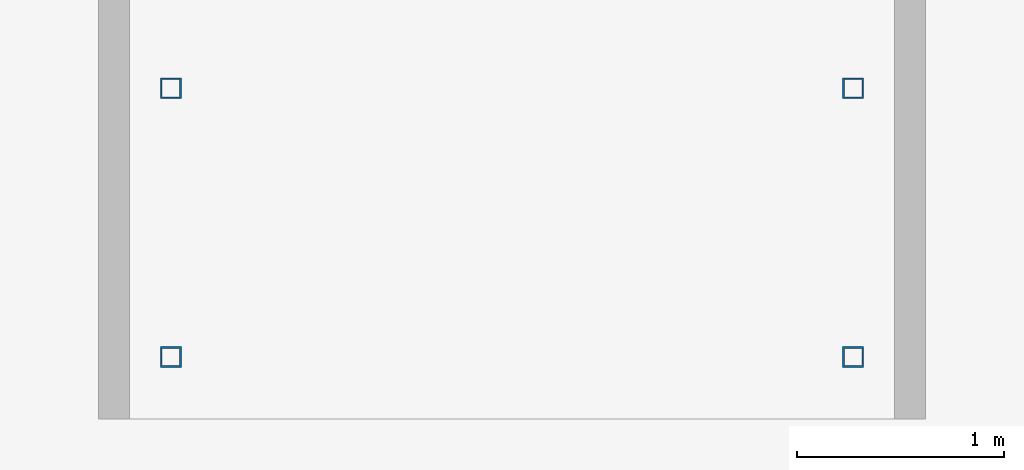
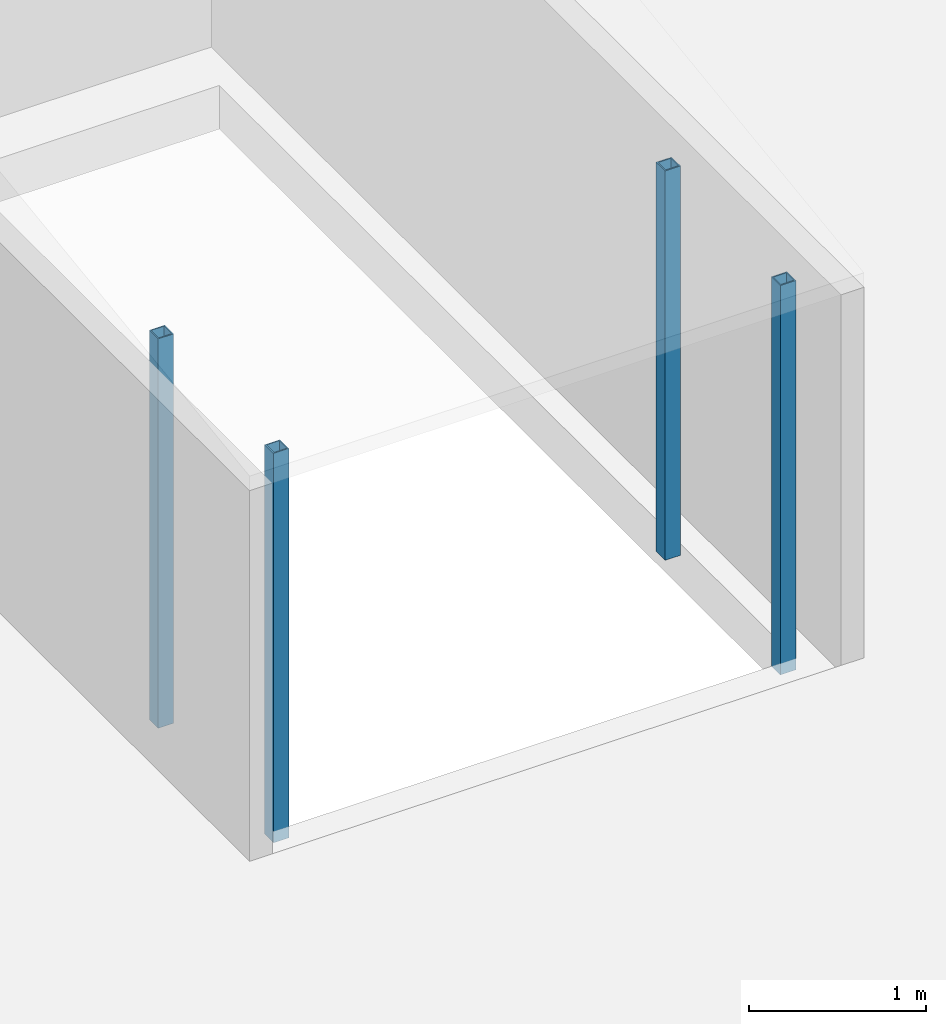
# One storey, part 2 of 84: 4 columns.
"""IFC4 building model written with IfcOpenShell, lengths in metres."""

from ifc_helpers import new_model, si_unit, direction, frame, origin, origin_2d, place, context, subcontext, project, spatial, hollow_rectangle, extrude, material, material_profile, profile_set, type_object, element, save


model = new_model("IFC4")

# Units and contexts
model_context = context("Model", 3, precision=1e-05, world=origin(), true_north=direction((0.0, 1.0)))
body_context = subcontext(model_context, "Body", "Model", "MODEL_VIEW")
ifc_project = project(units=[si_unit("LENGTHUNIT", "METRE"), si_unit("AREAUNIT", "SQUARE_METRE"), si_unit("VOLUMEUNIT", "CUBIC_METRE"), si_unit("PLANEANGLEUNIT", "RADIAN"), si_unit("MASSUNIT", "GRAM", prefix="KILO")], contexts=[model_context])

# Site, building, storey
site_placement = place(None, origin())
site = spatial("IfcSite", under=ifc_project, at=site_placement, CompositionType="ELEMENT")
building_placement = place(site_placement, origin())
building = spatial("IfcBuilding", under=site, at=building_placement, Name="Silverbay Arena", CompositionType="ELEMENT")
storey_placement = place(building_placement, frame((0.0, 0.0, 47.10009765625)))
storey = spatial("IfcBuildingStorey", under=building, at=storey_placement, Name="ROOF", CompositionType="ELEMENT", Elevation=47.10009765625)

# Columns
ifc_material = material(Name="Steel S355", Category="steel")
ifc_material_profile = material_profile(ifc_material, hollow_rectangle(XDim=0.10009765625, YDim=0.10009765625, WallThickness=0.008056640625, at=origin_2d()), Name="SHS 100x100x8")
ifc_profile_set = profile_set([ifc_material_profile], Name="Steel S355")
column_type = type_object("IfcColumnType", Name="Roof shelter post SHS 100x100x8", PredefinedType="COLUMN", material=ifc_profile_set)
for number, where, z_axis, x_axis, name in (
    (1, (189.64990234375, 67.050048828125, -0.080078125), (0.0, 0.0, 1.0), (1.0, 0.0, 0.0), "Roof shelter RH2 post 1"),
    (2, (192.949951171875, 67.050048828125, -0.080078125), (0.0, 0.0, 1.0), (1.0, 0.0, 0.0), "Roof shelter RH2 post 2"),
    (3, (189.64990234375, 68.35009765625, -0.080078125), (0.0, 0.0, 1.0), (1.0, 0.0, 0.0), "Roof shelter RH2 post 3"),
    (4, (192.949951171875, 68.35009765625, -0.080078125), (0.0, 0.0, 1.0), (1.0, 0.0, 0.0), "Roof shelter RH2 post 4"),
):
    element("IfcColumn", number, at=place(storey_placement, frame(where, z_axis=z_axis, x_axis=x_axis)), inside=storey, type_object=column_type, Name=name, PredefinedType="COLUMN", context=body_context, shape_type="SweptSolid", body=[
        extrude(hollow_rectangle(XDim=0.10009765625, YDim=0.10009765625, WallThickness=0.008056640625, at=origin_2d()), origin(), (0.0, 0.0, 1.0), 2.679931640625),
    ])

save(model, "model.ifc")
